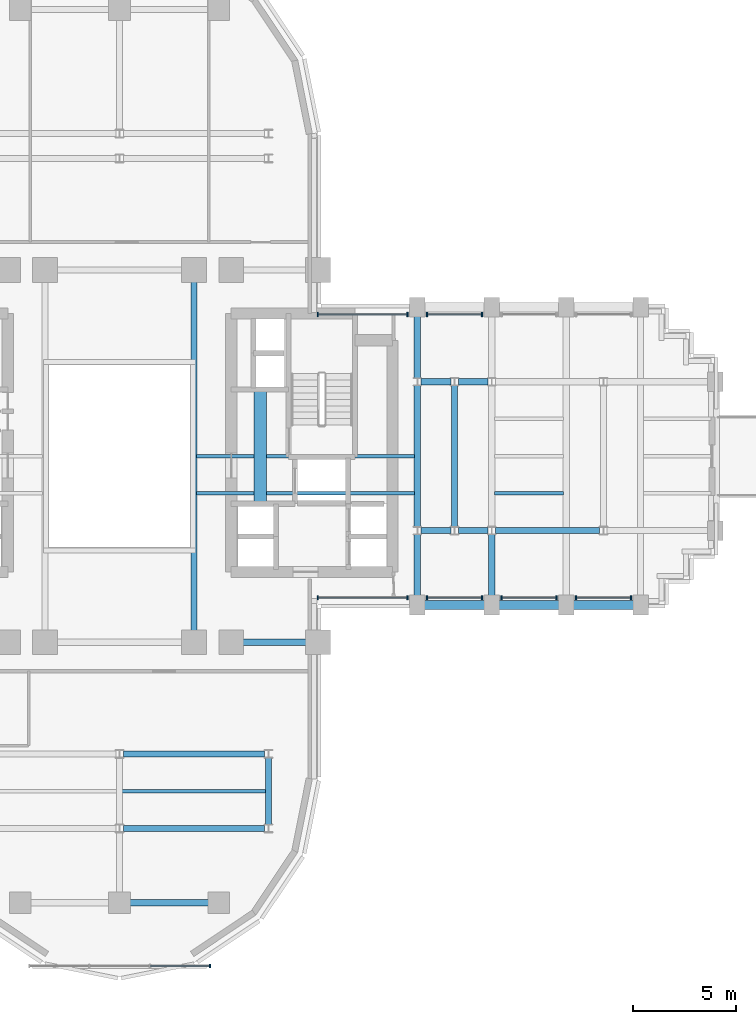
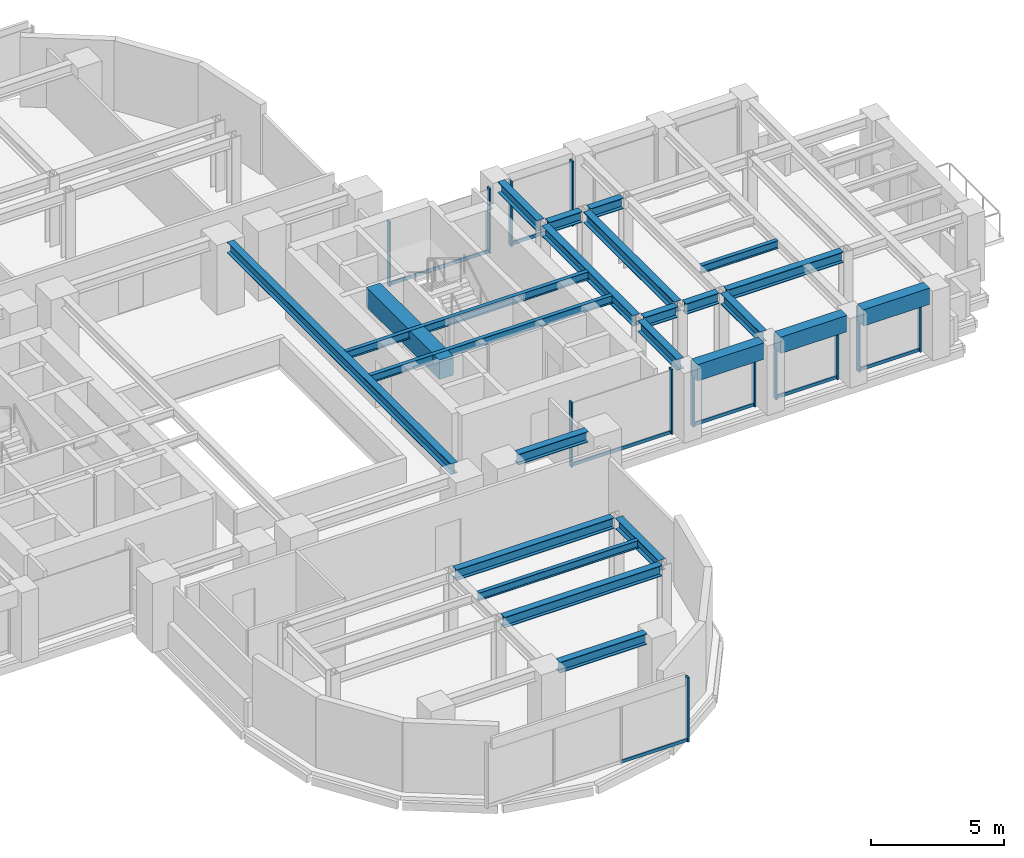
# One storey, part 5 of 15: 24 beams, 20 members, 7 elements without a shape of their own.
"""IFC4 building model written with IfcOpenShell, lengths in metres."""

from ifc_helpers import new_model, si_unit, direction, frame, origin, origin_2d, place, context, subcontext, project, spatial, rectangle, i_section, extrude, source, transform, mapped, material, material_profile, profile_set, type_object, element, aggregate, save


model = new_model("IFC4")

# Units and contexts
model_context = context("Model", 3, precision=1e-05, world=origin(), true_north=direction((0.0, 1.0)))
body_context = subcontext(model_context, "Body", "Model", "MODEL_VIEW")
ifc_project = project(units=[si_unit("LENGTHUNIT", "METRE"), si_unit("AREAUNIT", "SQUARE_METRE"), si_unit("VOLUMEUNIT", "CUBIC_METRE"), si_unit("PLANEANGLEUNIT", "RADIAN"), si_unit("MASSUNIT", "GRAM", prefix="KILO")], contexts=[model_context])

# Site, building, storey
site_placement = place(None, origin())
site = spatial("IfcSite", under=ifc_project, at=site_placement, CompositionType="ELEMENT")
building_placement = place(site_placement, origin())
building = spatial("IfcBuilding", under=site, at=building_placement, Name="Keilestroom Media Tower", CompositionType="ELEMENT")
storey_placement = place(building_placement, frame((0.0, 0.0, 40.800048828125)))
storey = spatial("IfcBuildingStorey", under=building, at=storey_placement, Name="L09", CompositionType="ELEMENT", Elevation=40.800048828125)

# Beams
ifc_material_1 = material(Name="Concrete C70/85", Category="concrete")
ifc_material_profile_1 = material_profile(ifc_material_1, rectangle(XDim=0.60009765625, YDim=0.89990234375, at=origin_2d()), Name="RC 600x900")
ifc_profile_set_1 = profile_set([ifc_material_profile_1], Name="Concrete C70/85")
beam_type_1 = type_object("IfcBeamType", Name="Core-Coupling-Lintel-Beam-RC-600x900", PredefinedType="LINTEL", material=ifc_profile_set_1)
shared_shape_1 = source(origin(), body_context, "Body", "SweptSolid", [
    extrude(rectangle(XDim=0.60009765625, YDim=0.89990234375, at=origin_2d()), origin(), (0.0, 0.0, 1.0), 5.52001953125),
])
beam_1_placement = place(storey_placement, frame((6.800048828125, -2.300048828125, 2.75), z_axis=(0.0, 1.0, 0.0), x_axis=(-1.0, 0.0, 0.0)))
element("IfcBeam", 1, at=beam_1_placement, inside=storey, type_object=beam_type_1, Name="L09 Beam CLB-1 CLB-L09-E", PredefinedType="LINTEL", context=body_context, shape_type="MappedRepresentation", body=[
    mapped(shared_shape_1, transform((0.0, 0.0, 0.0), x_axis=(1.0, 0.0, 0.0), y_axis=(0.0, 1.0, 0.0), z_axis=(0.0, 0.0, 1.0), scale=1.0)),
])
ifc_material_2 = material(Name="Precast concrete C40/50", Category="concrete")
ifc_material_profile_2 = material_profile(ifc_material_2, rectangle(XDim=0.449951171875, YDim=0.75, at=origin_2d()), Name="PC 450x750")
ifc_profile_set_2 = profile_set([ifc_material_profile_2], Name="Precast concrete C40/50")
beam_type_2 = type_object("IfcBeamType", Name="Perimeter-Spandrel-Beam-PC-450x750", PredefinedType="SPANDREL", material=ifc_profile_set_2)
shared_shape_2 = source(origin(), body_context, "Body", "SweptSolid", [
    extrude(rectangle(XDim=0.449951171875, YDim=0.75, at=origin_2d()), origin(), (0.0, 0.0, 1.0), 2.889892578125),
])
beam_2_placement = place(storey_placement, frame((21.955078125, -7.199951171875, 2.824951171875), z_axis=(1.0, 0.0, 0.0), x_axis=(0.0, 1.0, 0.0)))
element("IfcBeam", 2, at=beam_2_placement, inside=storey, type_object=beam_type_2, Name="L09 Beam SPB-1 BM-L09-EW-017", PredefinedType="SPANDREL", context=body_context, shape_type="MappedRepresentation", body=[
    mapped(shared_shape_2, transform((0.0, 0.0, 0.0), x_axis=(1.0, 0.0, 0.0), y_axis=(0.0, 1.0, 0.0), z_axis=(0.0, 0.0, 1.0), scale=1.0)),
])
shared_shape_3 = source(origin(), body_context, "Body", "SweptSolid", [
    extrude(rectangle(XDim=0.449951171875, YDim=0.75, at=origin_2d()), origin(), (0.0, 0.0, 1.0), 2.89013671875),
])
for number, where, z_axis, x_axis, name in (
    (3, (14.7548828125, -7.199951171875, 2.824951171875), (1.0, 0.0, 0.0), (0.0, 1.0, 0.0), "L09 Beam SPB-1 BM-L09-EW-015"),
    (4, (18.35498046875, -7.199951171875, 2.824951171875), (1.0, 0.0, 0.0), (0.0, 1.0, 0.0), "L09 Beam SPB-1 BM-L09-EW-016"),
):
    element("IfcBeam", number, at=place(storey_placement, frame(where, z_axis=z_axis, x_axis=x_axis)), inside=storey, type_object=beam_type_2, Name=name, PredefinedType="SPANDREL", context=body_context, shape_type="MappedRepresentation", body=[
        mapped(shared_shape_3, transform((0.0, 0.0, 0.0), x_axis=(1.0, 0.0, 0.0), y_axis=(0.0, 1.0, 0.0), z_axis=(0.0, 0.0, 1.0), scale=1.0)),
    ])
ifc_material_3 = material(Name="Steel S355", Category="steel")
ifc_material_profile_3 = material_profile(ifc_material_3, i_section(OverallWidth=0.300048828125, OverallDepth=0.5, WebThickness=0.012451171875, FlangeThickness=0.028076171875, at=origin_2d()), Name="HEB 500")
ifc_profile_set_3 = profile_set([ifc_material_profile_3], Name="Steel S355")
beam_type_3 = type_object("IfcBeamType", Name="Primary-Structural-Girder-HEB-500", PredefinedType="BEAM", material=ifc_profile_set_3)
shared_shape_4 = source(origin(), body_context, "Body", "SweptSolid", [
    extrude(i_section(OverallWidth=0.300048828125, OverallDepth=0.5, WebThickness=0.012451171875, FlangeThickness=0.028076171875, at=origin_2d()), origin(), (0.0, 0.0, 1.0), 6.8330078125),
])
for number, where, z_axis, x_axis, name in (
    (5, (14.39990234375, -3.41650390625, 2.949951171875), (0.0, 1.0, 0.0), (-1.0, 0.0, 0.0), "L09 Beam BG-6 BM-L09-NS-077"),
    (6, (16.199951171875, -3.41650390625, 2.949951171875), (0.0, 1.0, 0.0), (-1.0, 0.0, 0.0), "L09 Beam BG-6 BM-L09-NS-079"),
):
    element("IfcBeam", number, at=place(storey_placement, frame(where, z_axis=z_axis, x_axis=x_axis)), inside=storey, type_object=beam_type_3, Name=name, PredefinedType="BEAM", context=body_context, shape_type="MappedRepresentation", body=[
        mapped(shared_shape_4, transform((0.0, 0.0, 0.0), x_axis=(1.0, 0.0, 0.0), y_axis=(0.0, 1.0, 0.0), z_axis=(0.0, 0.0, 1.0), scale=1.0)),
    ])
shared_shape_5 = source(origin(), body_context, "Body", "SweptSolid", [
    extrude(i_section(OverallWidth=0.300048828125, OverallDepth=0.5, WebThickness=0.012451171875, FlangeThickness=0.028076171875, at=origin_2d()), origin(), (0.0, 0.0, 1.0), 2.961669921875),
])
for number, where, z_axis, x_axis, name in (
    (7, (14.39990234375, -6.7451171875, 2.949951171875), (0.0, 1.0, 0.0), (-1.0, 0.0, 0.0), "L09 Beam BG-6 BM-L09-NS-076"),
    (8, (14.39990234375, 3.783447265625, 2.949951171875), (0.0, 1.0, 0.0), (-1.0, 0.0, 0.0), "L09 Beam BG-6 BM-L09-NS-078"),
    (9, (18.0, -6.7451171875, 2.949951171875), (0.0, 1.0, 0.0), (-1.0, 0.0, 0.0), "L09 Beam BG-6 BM-L09-NS-080"),
):
    element("IfcBeam", number, at=place(storey_placement, frame(where, z_axis=z_axis, x_axis=x_axis)), inside=storey, type_object=beam_type_3, Name=name, PredefinedType="BEAM", context=body_context, shape_type="MappedRepresentation", body=[
        mapped(shared_shape_5, transform((0.0, 0.0, 0.0), x_axis=(1.0, 0.0, 0.0), y_axis=(0.0, 1.0, 0.0), z_axis=(0.0, 0.0, 1.0), scale=1.0)),
    ])
shared_shape_6 = source(origin(), body_context, "Body", "SweptSolid", [
    extrude(i_section(OverallWidth=0.300048828125, OverallDepth=0.5, WebThickness=0.012451171875, FlangeThickness=0.028076171875, at=origin_2d()), origin(), (0.0, 0.0, 1.0), 3.23291015625),
])
beam_3_placement = place(storey_placement, frame((7.199951171875, -17.81640625, 2.949951171875), z_axis=(0.0, 1.0, 0.0), x_axis=(-1.0, 0.0, 0.0)))
element("IfcBeam", 10, at=beam_3_placement, inside=storey, type_object=beam_type_3, Name="L09 Beam BG-6 BM-L09-NS-073", PredefinedType="BEAM", context=body_context, shape_type="MappedRepresentation", body=[
    mapped(shared_shape_6, transform((0.0, 0.0, 0.0), x_axis=(1.0, 0.0, 0.0), y_axis=(0.0, 1.0, 0.0), z_axis=(0.0, 0.0, 1.0), scale=1.0)),
])
shared_shape_7 = source(origin(), body_context, "Body", "SweptSolid", [
    extrude(i_section(OverallWidth=0.300048828125, OverallDepth=0.5, WebThickness=0.012451171875, FlangeThickness=0.028076171875, at=origin_2d()), origin(), (0.0, 0.0, 1.0), 16.83984375),
])
beam_4_placement = place(storey_placement, frame((3.60009765625, -8.419921875, 2.949951171875), z_axis=(0.0, 1.0, 0.0), x_axis=(-1.0, 0.0, 0.0)))
element("IfcBeam", 11, at=beam_4_placement, inside=storey, type_object=beam_type_3, Name="L09 Beam BG-6 BM-L09-NS-071", PredefinedType="BEAM", context=body_context, shape_type="MappedRepresentation", body=[
    mapped(shared_shape_7, transform((0.0, 0.0, 0.0), x_axis=(1.0, 0.0, 0.0), y_axis=(0.0, 1.0, 0.0), z_axis=(0.0, 0.0, 1.0), scale=1.0)),
])
ifc_material_profile_4 = material_profile(ifc_material_3, i_section(OverallWidth=0.300048828125, OverallDepth=0.489990234375, WebThickness=0.011962890625, FlangeThickness=0.02294921875, at=origin_2d()), Name="HEA 500")
ifc_profile_set_4 = profile_set([ifc_material_profile_4], Name="Steel S355")
beam_type_4 = type_object("IfcBeamType", Name="Primary-Structural-Girder-HEA-500", PredefinedType="BEAM", material=ifc_profile_set_4)
shared_shape_8 = source(origin(), body_context, "Body", "SweptSolid", [
    extrude(i_section(OverallWidth=0.300048828125, OverallDepth=0.489990234375, WebThickness=0.011962890625, FlangeThickness=0.02294921875, at=origin_2d()), origin(), (0.0, 0.0, 1.0), 3.7900390625),
])
beam_5_placement = place(storey_placement, frame((0.5048828125, -21.60009765625, 2.954833984375), z_axis=(1.0, 0.0, 0.0), x_axis=(0.0, 1.0, 0.0)))
element("IfcBeam", 12, at=beam_5_placement, inside=storey, type_object=beam_type_4, Name="L09 Beam BG-10 BM-L09-EW-002", PredefinedType="BEAM", context=body_context, shape_type="MappedRepresentation", body=[
    mapped(shared_shape_8, transform((0.0, 0.0, 0.0), x_axis=(1.0, 0.0, 0.0), y_axis=(0.0, 1.0, 0.0), z_axis=(0.0, 0.0, 1.0), scale=1.0)),
])
shared_shape_9 = source(origin(), body_context, "Body", "SweptSolid", [
    extrude(i_section(OverallWidth=0.300048828125, OverallDepth=0.489990234375, WebThickness=0.011962890625, FlangeThickness=0.02294921875, at=origin_2d()), origin(), (0.0, 0.0, 1.0), 6.836181640625),
])
for number, where, z_axis, x_axis, name in (
    (13, (0.181884765625, -18.0, 2.954833984375), (1.0, 0.0, 0.0), (0.0, 1.0, 0.0), "L09 Beam BG-10 BM-L09-EW-004"),
    (14, (0.181884765625, -14.39990234375, 2.954833984375), (1.0, 0.0, 0.0), (0.0, 1.0, 0.0), "L09 Beam BG-10 BM-L09-EW-006"),
):
    element("IfcBeam", number, at=place(storey_placement, frame(where, z_axis=z_axis, x_axis=x_axis)), inside=storey, type_object=beam_type_4, Name=name, PredefinedType="BEAM", context=body_context, shape_type="MappedRepresentation", body=[
        mapped(shared_shape_9, transform((0.0, 0.0, 0.0), x_axis=(1.0, 0.0, 0.0), y_axis=(0.0, 1.0, 0.0), z_axis=(0.0, 0.0, 1.0), scale=1.0)),
    ])
shared_shape_10 = source(origin(), body_context, "Body", "SweptSolid", [
    extrude(i_section(OverallWidth=0.300048828125, OverallDepth=0.489990234375, WebThickness=0.011962890625, FlangeThickness=0.02294921875, at=origin_2d()), origin(), (0.0, 0.0, 1.0), 3.0400390625),
])
beam_6_placement = place(storey_placement, frame((5.97998046875, -9.0, 2.954833984375), z_axis=(1.0, 0.0, 0.0), x_axis=(0.0, 1.0, 0.0)))
element("IfcBeam", 15, at=beam_6_placement, inside=storey, type_object=beam_type_4, Name="L09 Beam BG-10 BM-L09-EW-011", PredefinedType="BEAM", context=body_context, shape_type="MappedRepresentation", body=[
    mapped(shared_shape_10, transform((0.0, 0.0, 0.0), x_axis=(1.0, 0.0, 0.0), y_axis=(0.0, 1.0, 0.0), z_axis=(0.0, 0.0, 1.0), scale=1.0)),
])
shared_shape_11 = source(origin(), body_context, "Body", "SweptSolid", [
    extrude(i_section(OverallWidth=0.300048828125, OverallDepth=0.489990234375, WebThickness=0.011962890625, FlangeThickness=0.02294921875, at=origin_2d()), origin(), (0.0, 0.0, 1.0), 5.0361328125),
])
beam_7_placement = place(storey_placement, frame((18.181884765625, -3.60009765625, 2.954833984375), z_axis=(1.0, 0.0, 0.0), x_axis=(0.0, 1.0, 0.0)))
element("IfcBeam", 16, at=beam_7_placement, inside=storey, type_object=beam_type_4, Name="L09 Beam BG-10 BM-L09-EW-024", PredefinedType="BEAM", context=body_context, shape_type="MappedRepresentation", body=[
    mapped(shared_shape_11, transform((0.0, 0.0, 0.0), x_axis=(1.0, 0.0, 0.0), y_axis=(0.0, 1.0, 0.0), z_axis=(0.0, 0.0, 1.0), scale=1.0)),
])
shared_shape_12 = source(origin(), body_context, "Body", "SweptSolid", [
    extrude(i_section(OverallWidth=0.300048828125, OverallDepth=0.489990234375, WebThickness=0.011962890625, FlangeThickness=0.02294921875, at=origin_2d()), origin(), (0.0, 0.0, 1.0), 1.43603515625),
])
for number, where, z_axis, x_axis, name in (
    (17, (14.58203125, -3.60009765625, 2.954833984375), (1.0, 0.0, 0.0), (0.0, 1.0, 0.0), "L09 Beam BG-10 BM-L09-EW-022"),
    (18, (16.382080078125, -3.60009765625, 2.954833984375), (1.0, 0.0, 0.0), (0.0, 1.0, 0.0), "L09 Beam BG-10 BM-L09-EW-023"),
    (19, (14.58203125, 3.60009765625, 2.954833984375), (1.0, 0.0, 0.0), (0.0, 1.0, 0.0), "L09 Beam BG-10 BM-L09-EW-030"),
    (20, (16.382080078125, 3.60009765625, 2.954833984375), (1.0, 0.0, 0.0), (0.0, 1.0, 0.0), "L09 Beam BG-10 BM-L09-EW-031"),
):
    element("IfcBeam", number, at=place(storey_placement, frame(where, z_axis=z_axis, x_axis=x_axis)), inside=storey, type_object=beam_type_4, Name=name, PredefinedType="BEAM", context=body_context, shape_type="MappedRepresentation", body=[
        mapped(shared_shape_12, transform((0.0, 0.0, 0.0), x_axis=(1.0, 0.0, 0.0), y_axis=(0.0, 1.0, 0.0), z_axis=(0.0, 0.0, 1.0), scale=1.0)),
    ])
ifc_material_profile_5 = material_profile(ifc_material_3, i_section(OverallWidth=0.169921875, OverallDepth=0.360107421875, WebThickness=0.008056640625, FlangeThickness=0.0126953125, at=origin_2d()), Name="IPE 360")
ifc_profile_set_5 = profile_set([ifc_material_profile_5], Name="Steel S355")
beam_type_5 = type_object("IfcBeamType", Name="Secondary-Floor-Joist-IPE-360", PredefinedType="JOIST", material=ifc_profile_set_5)
shared_shape_13 = source(origin(), body_context, "Body", "SweptSolid", [
    extrude(i_section(OverallWidth=0.169921875, OverallDepth=0.360107421875, WebThickness=0.008056640625, FlangeThickness=0.0126953125, at=origin_2d()), origin(), (0.0, 0.0, 1.0), 6.940185546875),
])
beam_8_placement = place(storey_placement, frame((0.1298828125, -16.199951171875, 3.02001953125), z_axis=(1.0, 0.0, 0.0), x_axis=(0.0, 1.0, 0.0)))
element("IfcBeam", 21, at=beam_8_placement, inside=storey, type_object=beam_type_5, Name="L09 Beam BJ-5 JST-L09-088", PredefinedType="JOIST", context=body_context, shape_type="MappedRepresentation", body=[
    mapped(shared_shape_13, transform((0.0, 0.0, 0.0), x_axis=(1.0, 0.0, 0.0), y_axis=(0.0, 1.0, 0.0), z_axis=(0.0, 0.0, 1.0), scale=1.0)),
])
shared_shape_14 = source(origin(), body_context, "Body", "SweptSolid", [
    extrude(i_section(OverallWidth=0.169921875, OverallDepth=0.360107421875, WebThickness=0.008056640625, FlangeThickness=0.0126953125, at=origin_2d()), origin(), (0.0, 0.0, 1.0), 3.340087890625),
])
beam_9_placement = place(storey_placement, frame((18.1298828125, -1.800048828125, 3.02001953125), z_axis=(1.0, 0.0, 0.0), x_axis=(0.0, 1.0, 0.0)))
element("IfcBeam", 22, at=beam_9_placement, inside=storey, type_object=beam_type_5, Name="L09 Beam BJ-5 JST-L09-094", PredefinedType="JOIST", context=body_context, shape_type="MappedRepresentation", body=[
    mapped(shared_shape_14, transform((0.0, 0.0, 0.0), x_axis=(1.0, 0.0, 0.0), y_axis=(0.0, 1.0, 0.0), z_axis=(0.0, 0.0, 1.0), scale=1.0)),
])
shared_shape_15 = source(origin(), body_context, "Body", "SweptSolid", [
    extrude(i_section(OverallWidth=0.169921875, OverallDepth=0.360107421875, WebThickness=0.008056640625, FlangeThickness=0.0126953125, at=origin_2d()), origin(), (0.0, 0.0, 1.0), 10.5400390625),
])
for number, where, z_axis, x_axis, name in (
    (23, (3.72998046875, -1.800048828125, 3.02001953125), (1.0, 0.0, 0.0), (0.0, 1.0, 0.0), "L09 Beam BJ-5 JST-L09-093"),
    (24, (3.72998046875, 0.0, 3.02001953125), (1.0, 0.0, 0.0), (0.0, 1.0, 0.0), "L09 Beam BJ-5 JST-L09-100"),
):
    element("IfcBeam", number, at=place(storey_placement, frame(where, z_axis=z_axis, x_axis=x_axis)), inside=storey, type_object=beam_type_5, Name=name, PredefinedType="JOIST", context=body_context, shape_type="MappedRepresentation", body=[
        mapped(shared_shape_15, transform((0.0, 0.0, 0.0), x_axis=(1.0, 0.0, 0.0), y_axis=(0.0, 1.0, 0.0), z_axis=(0.0, 0.0, 1.0), scale=1.0)),
    ])

# Curtain wall, members
ifc_material_4 = material(Name="Anodised Aluminium Alloy", Category="aluminium")
curtain_wall_type_1 = type_object("IfcCurtainWallType", Name="Unitised-Curtain-Wall-CW-1", PredefinedType="NOTDEFINED", material=ifc_material_4)
curtain_wall_1_placement = place(storey_placement, origin())
curtain_wall_1 = element("IfcCurtainWall", 25, at=curtain_wall_1_placement, inside=storey, type_object=curtain_wall_type_1, Name="L09 Curtain Wall CW-1 CW-L09-NE-1", PredefinedType="NOTDEFINED")
ifc_material_profile_6 = material_profile(ifc_material_4, rectangle(XDim=0.070068359375, YDim=0.199951171875, at=origin_2d()), Name="ALU MULLION 70x200")
ifc_profile_set_6 = profile_set([ifc_material_profile_6], Name="Anodised Aluminium Alloy")
member_type_1 = type_object("IfcMemberType", Name="Curtain-Wall-Mullion-CW-1", PredefinedType="MULLION", material=ifc_profile_set_6)
shared_shape_16 = source(origin(), body_context, "Body", "SweptSolid", [
    extrude(rectangle(XDim=0.070068359375, YDim=0.199951171875, at=origin_2d()), origin(), (0.0, 0.0, 1.0), 2.97998046875),
])
member_1_placement = place(storey_placement, frame((9.5849609375, 6.85009765625, 0.0), z_axis=(0.0, 0.0, 1.0), x_axis=(1.0, 0.0, 0.0)))
member_1 = element("IfcMember", 26, at=member_1_placement, type_object=member_type_1, Name="CW-1 Mullion 00", PredefinedType="MULLION", context=body_context, shape_type="MappedRepresentation", body=[
    mapped(shared_shape_16, transform((0.0, 0.0, 0.0), x_axis=(1.0, 0.0, 0.0), y_axis=(0.0, 1.0, 0.0), z_axis=(0.0, 0.0, 1.0), scale=1.0)),
])
member_2_placement = place(storey_placement, frame((13.929931640625, 6.85009765625, 0.0), z_axis=(0.0, 0.0, 1.0), x_axis=(1.0, 0.0, 0.0)))
member_2 = element("IfcMember", 27, at=member_2_placement, type_object=member_type_1, Name="CW-1 Mullion 01", PredefinedType="MULLION", context=body_context, shape_type="MappedRepresentation", body=[
    mapped(shared_shape_16, transform((0.0, 0.0, 0.0), x_axis=(1.0, 0.0, 0.0), y_axis=(0.0, 1.0, 0.0), z_axis=(0.0, 0.0, 1.0), scale=1.0)),
])

curtain_wall_2_placement = place(storey_placement, origin())
curtain_wall_2 = element("IfcCurtainWall", 28, at=curtain_wall_2_placement, inside=storey, type_object=curtain_wall_type_1, Name="L09 Curtain Wall CW-1 CW-L09-NE-2", PredefinedType="NOTDEFINED")
member_3_placement = place(storey_placement, frame((14.8701171875, 6.85009765625, 0.0), z_axis=(0.0, 0.0, 1.0), x_axis=(1.0, 0.0, 0.0)))
member_3 = element("IfcMember", 29, at=member_3_placement, type_object=member_type_1, Name="CW-1 Mullion 00", PredefinedType="MULLION", context=body_context, shape_type="MappedRepresentation", body=[
    mapped(shared_shape_16, transform((0.0, 0.0, 0.0), x_axis=(1.0, 0.0, 0.0), y_axis=(0.0, 1.0, 0.0), z_axis=(0.0, 0.0, 1.0), scale=1.0)),
])
member_4_placement = place(storey_placement, frame((17.530029296875, 6.85009765625, 0.0), z_axis=(0.0, 0.0, 1.0), x_axis=(1.0, 0.0, 0.0)))
member_4 = element("IfcMember", 30, at=member_4_placement, type_object=member_type_1, Name="CW-1 Mullion 01", PredefinedType="MULLION", context=body_context, shape_type="MappedRepresentation", body=[
    mapped(shared_shape_16, transform((0.0, 0.0, 0.0), x_axis=(1.0, 0.0, 0.0), y_axis=(0.0, 1.0, 0.0), z_axis=(0.0, 0.0, 1.0), scale=1.0)),
])

curtain_wall_3_placement = place(storey_placement, origin())
curtain_wall_3 = element("IfcCurtainWall", 31, at=curtain_wall_3_placement, inside=storey, type_object=curtain_wall_type_1, Name="L09 Curtain Wall CW-1 CW-L09-SE-1", PredefinedType="NOTDEFINED")
member_5_placement = place(storey_placement, frame((9.5849609375, -6.85009765625, 0.0), z_axis=(0.0, 0.0, 1.0), x_axis=(1.0, 0.0, 0.0)))
member_5 = element("IfcMember", 32, at=member_5_placement, type_object=member_type_1, Name="CW-1 Mullion 00", PredefinedType="MULLION", context=body_context, shape_type="MappedRepresentation", body=[
    mapped(shared_shape_16, transform((0.0, 0.0, 0.0), x_axis=(1.0, 0.0, 0.0), y_axis=(0.0, 1.0, 0.0), z_axis=(0.0, 0.0, 1.0), scale=1.0)),
])
member_6_placement = place(storey_placement, frame((13.929931640625, -6.85009765625, 0.0), z_axis=(0.0, 0.0, 1.0), x_axis=(1.0, 0.0, 0.0)))
member_6 = element("IfcMember", 33, at=member_6_placement, type_object=member_type_1, Name="CW-1 Mullion 01", PredefinedType="MULLION", context=body_context, shape_type="MappedRepresentation", body=[
    mapped(shared_shape_16, transform((0.0, 0.0, 0.0), x_axis=(1.0, 0.0, 0.0), y_axis=(0.0, 1.0, 0.0), z_axis=(0.0, 0.0, 1.0), scale=1.0)),
])

curtain_wall_4_placement = place(storey_placement, origin())
curtain_wall_4 = element("IfcCurtainWall", 34, at=curtain_wall_4_placement, inside=storey, type_object=curtain_wall_type_1, Name="L09 Curtain Wall CW-1 CW-L09-SE-2", PredefinedType="NOTDEFINED")
member_7_placement = place(storey_placement, frame((14.8701171875, -6.85009765625, 0.0), z_axis=(0.0, 0.0, 1.0), x_axis=(1.0, 0.0, 0.0)))
member_7 = element("IfcMember", 35, at=member_7_placement, type_object=member_type_1, Name="CW-1 Mullion 00", PredefinedType="MULLION", context=body_context, shape_type="MappedRepresentation", body=[
    mapped(shared_shape_16, transform((0.0, 0.0, 0.0), x_axis=(1.0, 0.0, 0.0), y_axis=(0.0, 1.0, 0.0), z_axis=(0.0, 0.0, 1.0), scale=1.0)),
])
member_8_placement = place(storey_placement, frame((17.530029296875, -6.85009765625, 0.0), z_axis=(0.0, 0.0, 1.0), x_axis=(1.0, 0.0, 0.0)))
member_8 = element("IfcMember", 36, at=member_8_placement, type_object=member_type_1, Name="CW-1 Mullion 01", PredefinedType="MULLION", context=body_context, shape_type="MappedRepresentation", body=[
    mapped(shared_shape_16, transform((0.0, 0.0, 0.0), x_axis=(1.0, 0.0, 0.0), y_axis=(0.0, 1.0, 0.0), z_axis=(0.0, 0.0, 1.0), scale=1.0)),
])

curtain_wall_5_placement = place(storey_placement, origin())
curtain_wall_5 = element("IfcCurtainWall", 37, at=curtain_wall_5_placement, inside=storey, type_object=curtain_wall_type_1, Name="L09 Curtain Wall CW-1 CW-L09-SE-3", PredefinedType="NOTDEFINED")
member_9_placement = place(storey_placement, frame((18.469970703125, -6.85009765625, 0.0), z_axis=(0.0, 0.0, 1.0), x_axis=(1.0, 0.0, 0.0)))
member_9 = element("IfcMember", 38, at=member_9_placement, type_object=member_type_1, Name="CW-1 Mullion 00", PredefinedType="MULLION", context=body_context, shape_type="MappedRepresentation", body=[
    mapped(shared_shape_16, transform((0.0, 0.0, 0.0), x_axis=(1.0, 0.0, 0.0), y_axis=(0.0, 1.0, 0.0), z_axis=(0.0, 0.0, 1.0), scale=1.0)),
])
member_10_placement = place(storey_placement, frame((21.1298828125, -6.85009765625, 0.0), z_axis=(0.0, 0.0, 1.0), x_axis=(1.0, 0.0, 0.0)))
member_10 = element("IfcMember", 39, at=member_10_placement, type_object=member_type_1, Name="CW-1 Mullion 01", PredefinedType="MULLION", context=body_context, shape_type="MappedRepresentation", body=[
    mapped(shared_shape_16, transform((0.0, 0.0, 0.0), x_axis=(1.0, 0.0, 0.0), y_axis=(0.0, 1.0, 0.0), z_axis=(0.0, 0.0, 1.0), scale=1.0)),
])

curtain_wall_6_placement = place(storey_placement, origin())
curtain_wall_6 = element("IfcCurtainWall", 40, at=curtain_wall_6_placement, inside=storey, type_object=curtain_wall_type_1, Name="L09 Curtain Wall CW-1 CW-L09-SE-4", PredefinedType="NOTDEFINED")
member_11_placement = place(storey_placement, frame((22.070068359375, -6.85009765625, 0.0), z_axis=(0.0, 0.0, 1.0), x_axis=(1.0, 0.0, 0.0)))
member_11 = element("IfcMember", 41, at=member_11_placement, type_object=member_type_1, Name="CW-1 Mullion 00", PredefinedType="MULLION", context=body_context, shape_type="MappedRepresentation", body=[
    mapped(shared_shape_16, transform((0.0, 0.0, 0.0), x_axis=(1.0, 0.0, 0.0), y_axis=(0.0, 1.0, 0.0), z_axis=(0.0, 0.0, 1.0), scale=1.0)),
])
member_12_placement = place(storey_placement, frame((24.72998046875, -6.85009765625, 0.0), z_axis=(0.0, 0.0, 1.0), x_axis=(1.0, 0.0, 0.0)))
member_12 = element("IfcMember", 42, at=member_12_placement, type_object=member_type_1, Name="CW-1 Mullion 01", PredefinedType="MULLION", context=body_context, shape_type="MappedRepresentation", body=[
    mapped(shared_shape_16, transform((0.0, 0.0, 0.0), x_axis=(1.0, 0.0, 0.0), y_axis=(0.0, 1.0, 0.0), z_axis=(0.0, 0.0, 1.0), scale=1.0)),
])

# Member
ifc_material_profile_7 = material_profile(ifc_material_4, rectangle(XDim=0.06494140625, YDim=0.14990234375, at=origin_2d()), Name="ALU TRANSOM 65x150")
ifc_profile_set_7 = profile_set([ifc_material_profile_7], Name="Anodised Aluminium Alloy")
member_type_2 = type_object("IfcMemberType", Name="Curtain-Wall-Transom-CW-1", PredefinedType="USERDEFINED", material=ifc_profile_set_7)
shared_shape_17 = source(origin(), body_context, "Body", "SweptSolid", [
    extrude(rectangle(XDim=0.06494140625, YDim=0.14990234375, at=origin_2d()), origin(), (0.0, 0.0, 1.0), 2.593994140625),
])
member_13_placement = place(storey_placement, frame((14.903076171875, 6.85009765625, 0.074951171875), z_axis=(1.0, 0.0, 0.0), x_axis=(0.0, 1.0, 0.0)))
member_13 = element("IfcMember", 43, at=member_13_placement, type_object=member_type_2, Name="CW-1 Transom 00.1", ObjectType="TRANSOM", PredefinedType="USERDEFINED", context=body_context, shape_type="MappedRepresentation", body=[
    mapped(shared_shape_17, transform((0.0, 0.0, 0.0), x_axis=(1.0, 0.0, 0.0), y_axis=(0.0, 1.0, 0.0), z_axis=(0.0, 0.0, 1.0), scale=1.0)),
])

aggregate(curtain_wall_2, [member_3, member_4, member_13])

member_14_placement = place(storey_placement, frame((14.903076171875, -6.85009765625, 0.074951171875), z_axis=(1.0, 0.0, 0.0), x_axis=(0.0, 1.0, 0.0)))
member_14 = element("IfcMember", 44, at=member_14_placement, type_object=member_type_2, Name="CW-1 Transom 00.1", ObjectType="TRANSOM", PredefinedType="USERDEFINED", context=body_context, shape_type="MappedRepresentation", body=[
    mapped(shared_shape_17, transform((0.0, 0.0, 0.0), x_axis=(1.0, 0.0, 0.0), y_axis=(0.0, 1.0, 0.0), z_axis=(0.0, 0.0, 1.0), scale=1.0)),
])

aggregate(curtain_wall_4, [member_7, member_8, member_14])

member_15_placement = place(storey_placement, frame((18.5029296875, -6.85009765625, 0.074951171875), z_axis=(1.0, 0.0, 0.0), x_axis=(0.0, 1.0, 0.0)))
member_15 = element("IfcMember", 45, at=member_15_placement, type_object=member_type_2, Name="CW-1 Transom 00.1", ObjectType="TRANSOM", PredefinedType="USERDEFINED", context=body_context, shape_type="MappedRepresentation", body=[
    mapped(shared_shape_17, transform((0.0, 0.0, 0.0), x_axis=(1.0, 0.0, 0.0), y_axis=(0.0, 1.0, 0.0), z_axis=(0.0, 0.0, 1.0), scale=1.0)),
])

aggregate(curtain_wall_5, [member_9, member_10, member_15])

member_16_placement = place(storey_placement, frame((22.10302734375, -6.85009765625, 0.074951171875), z_axis=(1.0, 0.0, 0.0), x_axis=(0.0, 1.0, 0.0)))
member_16 = element("IfcMember", 46, at=member_16_placement, type_object=member_type_2, Name="CW-1 Transom 00.1", ObjectType="TRANSOM", PredefinedType="USERDEFINED", context=body_context, shape_type="MappedRepresentation", body=[
    mapped(shared_shape_17, transform((0.0, 0.0, 0.0), x_axis=(1.0, 0.0, 0.0), y_axis=(0.0, 1.0, 0.0), z_axis=(0.0, 0.0, 1.0), scale=1.0)),
])

aggregate(curtain_wall_6, [member_11, member_12, member_16])

shared_shape_18 = source(origin(), body_context, "Body", "SweptSolid", [
    extrude(rectangle(XDim=0.06494140625, YDim=0.14990234375, at=origin_2d()), origin(), (0.0, 0.0, 1.0), 4.279052734375),
])
member_17_placement = place(storey_placement, frame((9.617919921875, 6.85009765625, 0.074951171875), z_axis=(1.0, 0.0, 0.0), x_axis=(0.0, 1.0, 0.0)))
member_17 = element("IfcMember", 47, at=member_17_placement, type_object=member_type_2, Name="CW-1 Transom 00.1", ObjectType="TRANSOM", PredefinedType="USERDEFINED", context=body_context, shape_type="MappedRepresentation", body=[
    mapped(shared_shape_18, transform((0.0, 0.0, 0.0), x_axis=(1.0, 0.0, 0.0), y_axis=(0.0, 1.0, 0.0), z_axis=(0.0, 0.0, 1.0), scale=1.0)),
])

aggregate(curtain_wall_1, [member_1, member_2, member_17])

member_18_placement = place(storey_placement, frame((9.617919921875, -6.85009765625, 0.074951171875), z_axis=(1.0, 0.0, 0.0), x_axis=(0.0, 1.0, 0.0)))
member_18 = element("IfcMember", 48, at=member_18_placement, type_object=member_type_2, Name="CW-1 Transom 00.1", ObjectType="TRANSOM", PredefinedType="USERDEFINED", context=body_context, shape_type="MappedRepresentation", body=[
    mapped(shared_shape_18, transform((0.0, 0.0, 0.0), x_axis=(1.0, 0.0, 0.0), y_axis=(0.0, 1.0, 0.0), z_axis=(0.0, 0.0, 1.0), scale=1.0)),
])

aggregate(curtain_wall_3, [member_5, member_6, member_18])

# Curtain wall, members
curtain_wall_type_2 = type_object("IfcCurtainWallType", Name="Unitised-Curtain-Wall-CW-6", PredefinedType="NOTDEFINED", material=ifc_material_4)
curtain_wall_7_placement = place(storey_placement, origin())
curtain_wall_7 = element("IfcCurtainWall", 49, at=curtain_wall_7_placement, inside=storey, type_object=curtain_wall_type_2, Name="L09 Curtain Wall CW-6 CW-L09-LS-1", PredefinedType="NOTDEFINED")
ifc_material_profile_8 = material_profile(ifc_material_4, rectangle(XDim=0.06494140625, YDim=0.179931640625, at=origin_2d()), Name="ALU MULLION 65x180")
ifc_profile_set_8 = profile_set([ifc_material_profile_8], Name="Anodised Aluminium Alloy")
member_type_3 = type_object("IfcMemberType", Name="Curtain-Wall-Mullion-CW-6", PredefinedType="MULLION", material=ifc_profile_set_8)
shared_shape_19 = source(origin(), body_context, "Body", "SweptSolid", [
    extrude(rectangle(XDim=0.06494140625, YDim=0.179931640625, at=origin_2d()), origin(), (0.0, 0.0, 1.0), 2.97998046875),
])
member_19_placement = place(storey_placement, frame((4.367431640625, -24.64990234375, 0.0), z_axis=(0.0, 0.0, 1.0), x_axis=(1.0, 0.0, 0.0)))
member_19 = element("IfcMember", 50, at=member_19_placement, type_object=member_type_3, Name="CW-6 Mullion 03", PredefinedType="MULLION", context=body_context, shape_type="MappedRepresentation", body=[
    mapped(shared_shape_19, transform((0.0, 0.0, 0.0), x_axis=(1.0, 0.0, 0.0), y_axis=(0.0, 1.0, 0.0), z_axis=(0.0, 0.0, 1.0), scale=1.0)),
])
ifc_material_profile_9 = material_profile(ifc_material_4, rectangle(XDim=0.06494140625, YDim=0.14990234375, at=origin_2d()), Name="ALU TRANSOM 65x150")
ifc_profile_set_9 = profile_set([ifc_material_profile_9], Name="Anodised Aluminium Alloy")
member_type_4 = type_object("IfcMemberType", Name="Curtain-Wall-Transom-CW-6", PredefinedType="USERDEFINED", material=ifc_profile_set_9)
shared_shape_20 = source(origin(), body_context, "Body", "SweptSolid", [
    extrude(rectangle(XDim=0.06494140625, YDim=0.14990234375, at=origin_2d()), origin(), (0.0, 0.0, 1.0), 2.839599609375),
])
member_20_placement = place(storey_placement, frame((1.497314453125, -24.64990234375, 0.074951171875), z_axis=(1.0, 0.0, 0.0), x_axis=(0.0, 1.0, 0.0)))
member_20 = element("IfcMember", 51, at=member_20_placement, type_object=member_type_4, Name="CW-6 Transom 02.1", ObjectType="TRANSOM", PredefinedType="USERDEFINED", context=body_context, shape_type="MappedRepresentation", body=[
    mapped(shared_shape_20, transform((0.0, 0.0, 0.0), x_axis=(1.0, 0.0, 0.0), y_axis=(0.0, 1.0, 0.0), z_axis=(0.0, 0.0, 1.0), scale=1.0)),
])
aggregate(curtain_wall_7, [member_19, member_20])

save(model, "model.ifc")
